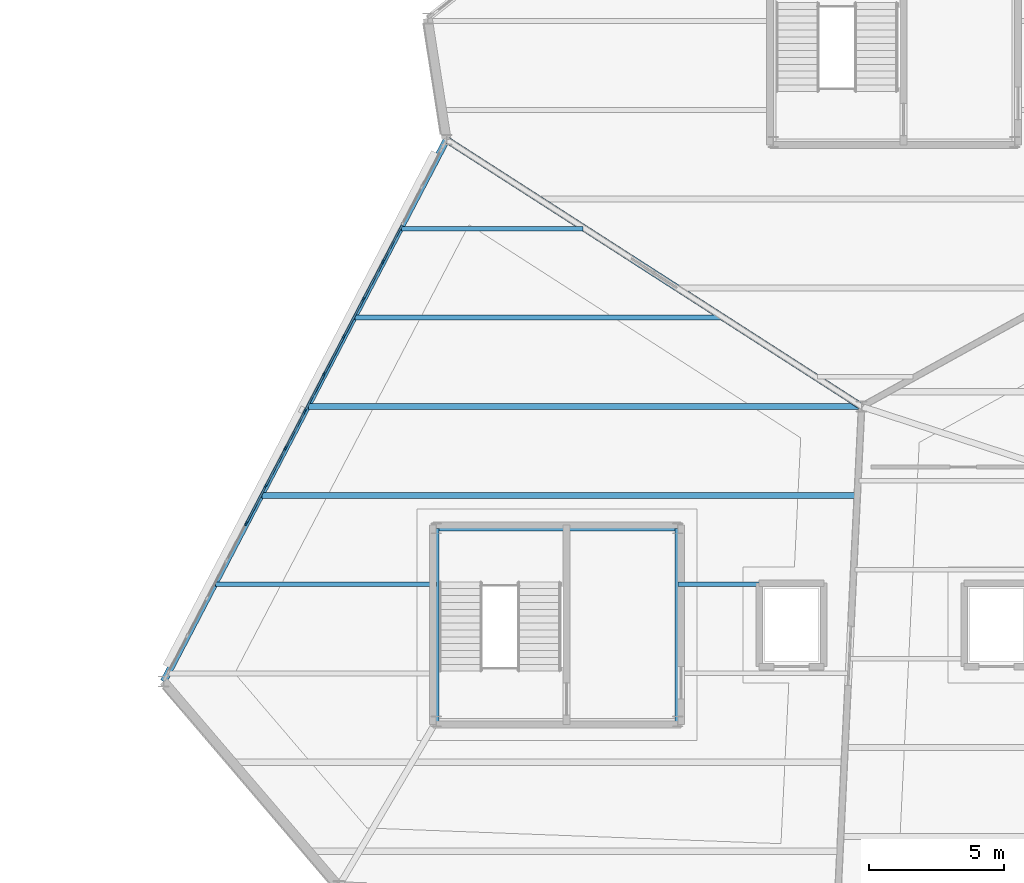
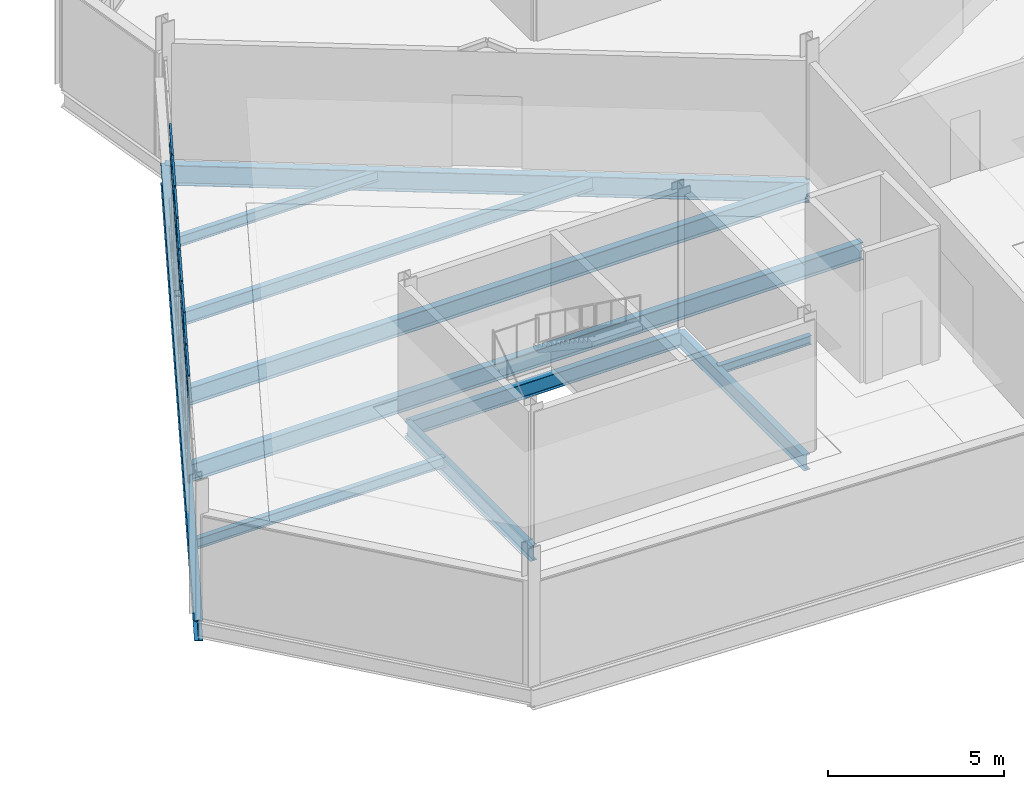
# One storey, part 61 of 134: 40 members, 11 beams, 1 element without a shape of its own.
"""IFC4 building model written with IfcOpenShell, lengths in metres."""

import ifcopenshell
import ifcopenshell.guid

model = None  # the IFC model being written
_history = None  # IfcOwnerHistory: only IFC2X3 demands one
_inside = {}  # id of a spatial element -> (the spatial element, [elements in it])
_under = {}  # id of a project, library or spatial element -> (it, [spatial elements below it])
_declared = {}  # id of a project -> (the project, [libraries it declares])
_typed = {}  # id of a type object -> (the type object, [elements of that type])
_made_of = {}  # id of a material, layer set ... -> (it, [elements and type objects made of it])


def new_model(schema):
    """Start an empty IFC model of exactly this schema.

    Asked for "IFC4X3", IfcOpenShell would pick the latest addendum, in which some entities
    have other attributes; the version numbers below select the first issue.
    IFC2X3 requires an IfcOwnerHistory on every rooted entity: one is made here for all.
    """
    global model, _history
    if schema == "IFC4X3":
        model = ifcopenshell.file(schema_version=(4, 3, 0, 0))
    else:
        model = ifcopenshell.file(schema=schema)
    _inside.clear()
    _under.clear()
    _declared.clear()
    _typed.clear()
    _made_of.clear()
    _history = None
    if model.schema == "IFC2X3":
        org = make("IfcOrganization", Name="unknown")
        user = make(
            "IfcPersonAndOrganization",
            ThePerson=make("IfcPerson", FamilyName="unknown"),
            TheOrganization=org,
        )
        app = make(
            "IfcApplication",
            ApplicationDeveloper=org,
            Version="unknown",
            ApplicationFullName="unknown",
            ApplicationIdentifier="unknown",
        )
        _history = make(
            "IfcOwnerHistory",
            OwningUser=user,
            OwningApplication=app,
            ChangeAction="ADDED",
            CreationDate=0,
        )
    return model


def make(cls, **values):
    """One entity of the class cls with the attributes given. An attribute that is None is left unset."""
    return model.create_entity(
        cls, **{name: value for name, value in values.items() if value is not None}
    )


def rooted(cls, **values):
    """An entity with a GlobalId (a new one), such as an element, a storey or a relation."""
    return make(cls, GlobalId=ifcopenshell.guid.new(), OwnerHistory=_history, **values)


def si_unit(unit_type, name, prefix=None):
    """IfcSIUnit, for example si_unit("LENGTHUNIT", "METRE", prefix="MILLI")."""
    return make("IfcSIUnit", UnitType=unit_type, Prefix=prefix, Name=name)


def assignment(units):
    """IfcUnitAssignment: the units of a project."""
    return None if units is None else make("IfcUnitAssignment", Units=units)


def point(xyz):
    """IfcCartesianPoint."""
    return None if xyz is None else make("IfcCartesianPoint", Coordinates=xyz)


def direction(xyz):
    """IfcDirection."""
    return None if xyz is None else make("IfcDirection", DirectionRatios=xyz)


def frame(location, z_axis=None, x_axis=None):
    """IfcAxis2Placement3D, a coordinate frame: its origin and axes. An axis left out is left unset."""
    return make(
        "IfcAxis2Placement3D",
        Location=point(location),
        Axis=direction(z_axis),
        RefDirection=direction(x_axis),
    )


def frame_2d(location, x_axis=None):
    """IfcAxis2Placement2D, a coordinate frame in the plane: its origin and x axis."""
    return make(
        "IfcAxis2Placement2D", Location=point(location), RefDirection=direction(x_axis)
    )


def origin():
    """The frame at (0, 0, 0) with its axes left unset."""
    return frame((0.0, 0.0, 0.0))


def origin_2d():
    """The frame at (0, 0) in the plane with its x axis left unset."""
    return frame_2d((0.0, 0.0))


def place(relative_to, where):
    """IfcLocalPlacement: puts the frame where relative to a parent placement (None: the world)."""
    return make(
        "IfcLocalPlacement", PlacementRelTo=relative_to, RelativePlacement=where
    )


def context(
    kind, dimensions, precision=None, world=None, true_north=None, identifier=None
):
    """IfcGeometricRepresentationContext, for example the 3D "Model" context."""
    return make(
        "IfcGeometricRepresentationContext",
        ContextIdentifier=identifier,
        ContextType=kind,
        CoordinateSpaceDimension=dimensions,
        Precision=precision,
        WorldCoordinateSystem=world,
        TrueNorth=true_north,
    )


def subcontext(parent, identifier, kind, view, scale=None):
    """IfcGeometricRepresentationSubContext, for example "Body" below "Model"."""
    return make(
        "IfcGeometricRepresentationSubContext",
        ContextIdentifier=identifier,
        ContextType=kind,
        ParentContext=parent,
        TargetScale=scale,
        TargetView=view,
    )


def project(units=None, contexts=None):
    """IfcProject with its units and contexts."""
    return rooted(
        "IfcProject",
        Name="project",
        RepresentationContexts=contexts,
        UnitsInContext=assignment(units),
    )


def spatial(cls, under=None, at=None, **own):
    """A site, building, storey or space (cls), placed at a placement, below another one or the project."""
    s = rooted(cls, ObjectPlacement=at, **own)
    if under is not None:
        _under.setdefault(under.id(), (under, []))[1].append(s)
    return s


def profile(cls, at=None, kind="AREA", **sizes):
    """A parametric profile (cls). Its sizes go by their IFC names, for example OverallWidth=200.0."""
    return make(cls, ProfileType=kind, Position=at, **sizes)


def rectangle(**sizes):
    """IfcRectangleProfileDef."""
    return profile("IfcRectangleProfileDef", **sizes)


def i_section(**sizes):
    """IfcIShapeProfileDef."""
    return profile("IfcIShapeProfileDef", **sizes)


def extrude(swept, where, along, depth):
    """IfcExtrudedAreaSolid: the profile swept, set in the frame where, extruded along a direction by depth."""
    return make(
        "IfcExtrudedAreaSolid",
        SweptArea=swept,
        Position=where,
        ExtrudedDirection=direction(along),
        Depth=depth,
    )


def shape(context_of_items, identifier, shape_type, items):
    """IfcShapeRepresentation: the items that make up one representation, for example the "Body"."""
    return make(
        "IfcShapeRepresentation",
        ContextOfItems=context_of_items,
        RepresentationIdentifier=identifier,
        RepresentationType=shape_type,
        Items=items,
    )


def material(Name=None, Category=None):
    """IfcMaterial."""
    return make("IfcMaterial", Name=Name, Category=Category)


def material_profile(
    of_material, cross_section, Name=None, Category=None, Priority=None
):
    """IfcMaterialProfile: a cross section and its material."""
    return make(
        "IfcMaterialProfile",
        Name=Name,
        Material=of_material,
        Profile=cross_section,
        Priority=Priority,
        Category=Category,
    )


def profile_set(profiles, Name=None, composite=None):
    """IfcMaterialProfileSet."""
    return make(
        "IfcMaterialProfileSet",
        Name=Name,
        MaterialProfiles=profiles,
        CompositeProfile=composite,
    )


def made_of(thing, what):
    """Note that an element or type object is made of a material, layer set ...; save() writes the relation."""
    if what is not None:
        _made_of.setdefault(what.id(), (what, []))[1].append(thing)
    return thing


def type_object(cls, material=None, **own):
    """A type object (cls), such as IfcWallType, which elements share."""
    return made_of(rooted(cls, **own), material)


def element(
    cls,
    number,
    at=None,
    inside=None,
    cuts=None,
    type_object=None,
    material=None,
    context=None,
    identifier="Body",
    shape_type=None,
    held_by="IfcProductDefinitionShape",
    body=None,
    shapes=None,
    **own,
):
    """One element of the class cls, such as IfcWall. Its Tag is "e" and its number.

    at: its placement. inside: the storey or other place that contains it. cuts: it is an
    opening in that element (IfcRelVoidsElement). A single representation is given by context,
    identifier, shape_type and body (its items); several are given by shapes. held_by: the class
    of the entity that holds the representations. save() writes the other relations.
    """
    e = rooted(cls, Tag="e%d" % number, ObjectPlacement=at, **own)
    if body is not None:
        shapes = [shape(context, identifier, shape_type, body)]
    if shapes is not None:
        e.Representation = make(held_by, Representations=shapes)
    if inside is not None:
        _inside.setdefault(inside.id(), (inside, []))[1].append(e)
    if cuts is not None:
        rooted(
            "IfcRelVoidsElement", RelatingBuildingElement=cuts, RelatedOpeningElement=e
        )
    if type_object is not None:
        _typed.setdefault(type_object.id(), (type_object, []))[1].append(e)
    return made_of(e, material)


def aggregate(whole, parts):
    """IfcRelAggregates: a whole, such as a stair, and the parts it consists of."""
    return rooted("IfcRelAggregates", RelatingObject=whole, RelatedObjects=parts)


def save(model, path):
    """Write the relations noted so far, then the file.

    IfcRelAggregates (storeys below a building ...), IfcRelContainedInSpatialStructure (elements
    in a storey), IfcRelDefinesByType, IfcRelAssociatesMaterial and IfcRelDeclares: one each for
    every whole, place, type object, material and project.
    """
    for whole, parts in _under.values():
        aggregate(whole, parts)
    for where, things in _inside.values():
        rooted(
            "IfcRelContainedInSpatialStructure",
            RelatedElements=things,
            RelatingStructure=where,
        )
    for kind, things in _typed.values():
        rooted("IfcRelDefinesByType", RelatedObjects=things, RelatingType=kind)
    for what, things in _made_of.values():
        rooted("IfcRelAssociatesMaterial", RelatedObjects=things, RelatingMaterial=what)
    for by, libraries in _declared.values():
        rooted("IfcRelDeclares", RelatingContext=by, RelatedDefinitions=libraries)
    model.write(path)


model = new_model("IFC4")

# Units and contexts
model_context = context("Model", 3, precision=1e-05, world=origin(), true_north=direction((0.0, 1.0)))
body_context = subcontext(model_context, "Body", "Model", "MODEL_VIEW")
ifc_project = project(units=[si_unit("LENGTHUNIT", "METRE"), si_unit("AREAUNIT", "SQUARE_METRE"), si_unit("VOLUMEUNIT", "CUBIC_METRE"), si_unit("PLANEANGLEUNIT", "RADIAN"), si_unit("MASSUNIT", "GRAM", prefix="KILO")], contexts=[model_context])

# Site, building, storey
site_placement = place(None, origin())
site = spatial("IfcSite", under=ifc_project, at=site_placement, CompositionType="ELEMENT")
building_placement = place(site_placement, origin())
building = spatial("IfcBuilding", under=site, at=building_placement, Name="Tameran Prism Museum", CompositionType="ELEMENT")
storey_placement = place(building_placement, frame((0.0, 0.0, 5.39990234375)))
storey = spatial("IfcBuildingStorey", under=building, at=storey_placement, Name="L01", CompositionType="ELEMENT", Elevation=5.39990234375)

# Beams
ifc_material_1 = material(Name="Steel Grade 300PLUS (300 MPa)", Category="steel")
ifc_material_profile_1 = material_profile(ifc_material_1, i_section(OverallWidth=0.1650390625, OverallDepth=0.303955078125, WebThickness=0.006103515625, FlangeThickness=0.01025390625, FilletRadius=0.011474609375, at=origin_2d()))
ifc_profile_set_1 = profile_set([ifc_material_profile_1])
beam_type_1 = type_object("IfcBeamType", Name="BM-J310B", PredefinedType="JOIST", material=ifc_profile_set_1)
beam_1_placement = place(storey_placement, frame((111.97998046875, 82.5, -0.351806640625), z_axis=(1.0, 0.0, 0.0), x_axis=(0.0, 1.0, 0.0)))
element("IfcBeam", 1, at=beam_1_placement, inside=storey, type_object=beam_type_1, Name="Floor Beam BM-0503", PredefinedType="JOIST", context=body_context, shape_type="SweptSolid", body=[
    extrude(i_section(OverallWidth=0.1650390625, OverallDepth=0.303955078125, WebThickness=0.006103515625, FlangeThickness=0.01025390625, FilletRadius=0.011474609375, at=origin_2d()), origin(), (0.0, 0.0, 1.0), 3.0400390625),
])
ifc_material_2 = material(Name="Steel Grade 300PLUS (300 MPa)", Category="steel")
ifc_material_profile_2 = material_profile(ifc_material_2, i_section(OverallWidth=0.1708984375, OverallDepth=0.35595703125, WebThickness=0.00732421875, FlangeThickness=0.011474609375, FilletRadius=0.011474609375, at=origin_2d()))
ifc_profile_set_2 = profile_set([ifc_material_profile_2])
beam_type_2 = type_object("IfcBeamType", Name="BM-J360B", PredefinedType="JOIST", material=ifc_profile_set_2)
beam_2_placement = place(storey_placement, frame((94.825927734375, 82.5, -0.3779296875), z_axis=(1.0, 0.0, 0.0), x_axis=(0.0, 1.0, 0.0)))
element("IfcBeam", 2, at=beam_2_placement, inside=storey, type_object=beam_type_2, Name="Floor Beam BM-0502", PredefinedType="JOIST", context=body_context, shape_type="SweptSolid", body=[
    extrude(i_section(OverallWidth=0.1708984375, OverallDepth=0.35595703125, WebThickness=0.00732421875, FlangeThickness=0.011474609375, FilletRadius=0.011474609375, at=origin_2d()), origin(), (0.0, 0.0, 1.0), 8.194091796875),
])
beam_3_placement = place(storey_placement, frame((101.720947265625, 95.699951171875, -0.3779296875), z_axis=(1.0, 0.0, 0.0), x_axis=(0.0, 1.0, 0.0)))
element("IfcBeam", 3, at=beam_3_placement, inside=storey, type_object=beam_type_2, Name="Floor Beam BM-0507", PredefinedType="JOIST", context=body_context, shape_type="SweptSolid", body=[
    extrude(i_section(OverallWidth=0.1708984375, OverallDepth=0.35595703125, WebThickness=0.00732421875, FlangeThickness=0.011474609375, FilletRadius=0.011474609375, at=origin_2d()), origin(), (0.0, 0.0, 1.0), 6.738037109375),
])
ifc_material_3 = material(Name="Steel Grade 300PLUS (300 MPa)", Category="steel")
ifc_material_profile_3 = material_profile(ifc_material_3, i_section(OverallWidth=0.18994140625, OverallDepth=0.4541015625, WebThickness=0.008544921875, FlangeThickness=0.0126953125, FilletRadius=0.011474609375, at=origin_2d()))
ifc_profile_set_3 = profile_set([ifc_material_profile_3])
beam_type_3 = type_object("IfcBeamType", Name="BM-J460B", PredefinedType="JOIST", material=ifc_profile_set_3)
beam_4_placement = place(storey_placement, frame((99.9970703125, 92.39990234375, -0.427001953125), z_axis=(1.0, 0.0, 0.0), x_axis=(0.0, 1.0, 0.0)))
element("IfcBeam", 4, at=beam_4_placement, inside=storey, type_object=beam_type_3, Name="Floor Beam BM-0506", PredefinedType="JOIST", context=body_context, shape_type="SweptSolid", body=[
    extrude(i_section(OverallWidth=0.18994140625, OverallDepth=0.4541015625, WebThickness=0.008544921875, FlangeThickness=0.0126953125, FilletRadius=0.011474609375, at=origin_2d()), origin(), (0.0, 0.0, 1.0), 13.595947265625),
])
ifc_material_4 = material(Name="Steel Grade 300PLUS (300 MPa)", Category="steel")
ifc_material_profile_4 = material_profile(ifc_material_4, i_section(OverallWidth=0.208984375, OverallDepth=0.528076171875, WebThickness=0.009521484375, FlangeThickness=0.01318359375, FilletRadius=0.013916015625, at=origin_2d()))
ifc_profile_set_4 = profile_set([ifc_material_profile_4])
beam_type_4 = type_object("IfcBeamType", Name="BM-SP530B", PredefinedType="SPANDREL", material=ifc_profile_set_4)
beam_5_placement = place(storey_placement, frame((111.97998046875, 77.419921875, -0.50390625), z_axis=(0.0, 1.0, 0.0), x_axis=(-1.0, 0.0, 0.0)))
element("IfcBeam", 5, at=beam_5_placement, inside=storey, type_object=beam_type_4, Name="Core Ring Beam CTB-0439", PredefinedType="SPANDREL", context=body_context, shape_type="SweptSolid", body=[
    extrude(i_section(OverallWidth=0.208984375, OverallDepth=0.528076171875, WebThickness=0.009521484375, FlangeThickness=0.01318359375, FilletRadius=0.013916015625, at=origin_2d()), origin(), (0.0, 0.0, 1.0), 7.16015625),
])
beam_6_placement = place(storey_placement, frame((111.97998046875, 84.580078125, -0.50390625), z_axis=(-1.0, 0.0, 0.0), x_axis=(0.0, -1.0, 0.0)))
element("IfcBeam", 6, at=beam_6_placement, inside=storey, type_object=beam_type_4, Name="Core Ring Beam CTB-0440", PredefinedType="SPANDREL", context=body_context, shape_type="SweptSolid", body=[
    extrude(i_section(OverallWidth=0.208984375, OverallDepth=0.528076171875, WebThickness=0.009521484375, FlangeThickness=0.01318359375, FilletRadius=0.013916015625, at=origin_2d()), origin(), (0.0, 0.0, 1.0), 8.9599609375),
])
beam_7_placement = place(storey_placement, frame((103.02001953125, 84.580078125, -0.50390625), z_axis=(0.0, -1.0, 0.0), x_axis=(1.0, 0.0, 0.0)))
element("IfcBeam", 7, at=beam_7_placement, inside=storey, type_object=beam_type_4, Name="Core Ring Beam CTB-0441", PredefinedType="SPANDREL", context=body_context, shape_type="SweptSolid", body=[
    extrude(i_section(OverallWidth=0.208984375, OverallDepth=0.528076171875, WebThickness=0.009521484375, FlangeThickness=0.01318359375, FilletRadius=0.013916015625, at=origin_2d()), origin(), (0.0, 0.0, 1.0), 7.16015625),
])
ifc_material_5 = material(Name="Steel Grade 350 (350 MPa)", Category="steel")
ifc_material_profile_5 = material_profile(ifc_material_5, i_section(OverallWidth=0.25, OverallDepth=0.699951171875, WebThickness=0.010009765625, FlangeThickness=0.02001953125, at=origin_2d()))
ifc_profile_set_5 = profile_set([ifc_material_profile_5])
beam_type_5 = type_object("IfcBeamType", Name="BM-SP700", PredefinedType="SPANDREL", material=ifc_profile_set_5)
beam_8_placement = place(storey_placement, frame((118.800048828125, 89.10009765625, -0.5498046875), z_axis=(-0.841183241423, 0.540750177392, 0.0), x_axis=(-0.540750177392, -0.841183241423, 0.0)))
element("IfcBeam", 8, at=beam_8_placement, inside=storey, type_object=beam_type_5, Name="Perimeter Spandrel SP-0327", PredefinedType="SPANDREL", context=body_context, shape_type="SweptSolid", body=[
    extrude(i_section(OverallWidth=0.25, OverallDepth=0.699951171875, WebThickness=0.010009765625, FlangeThickness=0.02001953125, at=origin_2d()), origin(), (0.0, 0.0, 1.0), 18.3076171875),
])
beam_9_placement = place(storey_placement, frame((103.39990234375, 99.0, -0.5498046875), z_axis=(-0.463016287734, -0.886349771418, 0.0), x_axis=(0.886349771418, -0.463016287734, 0.0)))
element("IfcBeam", 9, at=beam_9_placement, inside=storey, type_object=beam_type_5, Name="Perimeter Spandrel SP-0328", PredefinedType="SPANDREL", context=body_context, shape_type="SweptSolid", body=[
    extrude(i_section(OverallWidth=0.25, OverallDepth=0.699951171875, WebThickness=0.010009765625, FlangeThickness=0.02001953125, at=origin_2d()), origin(), (0.0, 0.0, 1.0), 22.677490234375),
])
ifc_material_6 = material(Name="Steel Grade 300PLUS (300 MPa)", Category="steel")
ifc_material_profile_6 = material_profile(ifc_material_6, i_section(OverallWidth=0.22802734375, OverallDepth=0.60693359375, WebThickness=0.01123046875, FlangeThickness=0.017333984375, FilletRadius=0.013916015625, at=origin_2d()))
ifc_profile_set_6 = profile_set([ifc_material_profile_6])
beam_type_6 = type_object("IfcBeamType", Name="BM-UB610B", PredefinedType="BEAM", material=ifc_profile_set_6)
beam_10_placement = place(storey_placement, frame((96.550048828125, 85.800048828125, -0.50341796875), z_axis=(1.0, 0.0, 0.0), x_axis=(0.0, 1.0, 0.0)))
element("IfcBeam", 10, at=beam_10_placement, inside=storey, type_object=beam_type_6, Name="Floor Beam BM-0504", PredefinedType="BEAM", context=body_context, shape_type="SweptSolid", body=[
    extrude(i_section(OverallWidth=0.22802734375, OverallDepth=0.60693359375, WebThickness=0.01123046875, FlangeThickness=0.017333984375, FilletRadius=0.013916015625, at=origin_2d()), origin(), (0.0, 0.0, 1.0), 22.049072265625),
])
beam_11_placement = place(storey_placement, frame((98.27294921875, 89.10009765625, -0.50341796875), z_axis=(1.0, 0.0, 0.0), x_axis=(0.0, 1.0, 0.0)))
element("IfcBeam", 11, at=beam_11_placement, inside=storey, type_object=beam_type_6, Name="Floor Beam BM-0505", PredefinedType="BEAM", context=body_context, shape_type="SweptSolid", body=[
    extrude(i_section(OverallWidth=0.22802734375, OverallDepth=0.60693359375, WebThickness=0.01123046875, FlangeThickness=0.017333984375, FilletRadius=0.013916015625, at=origin_2d()), origin(), (0.0, 0.0, 1.0), 20.453125),
])

# Curtain wall, members
ifc_material_7 = material(Name="Anodised Aluminium 6063-T6 and Cyclone Solar Glass", Category="aluminium")
curtain_wall_type = type_object("IfcCurtainWallType", Name="CW-FAC-2192x362", PredefinedType="USERDEFINED", material=ifc_material_7)
curtain_wall_placement = place(storey_placement, origin())
curtain_wall = element("IfcCurtainWall", 12, at=curtain_wall_placement, inside=storey, type_object=curtain_wall_type, Name="Unitised Curtain Wall CW-055", ObjectType="UNITISED CURTAIN WALL", PredefinedType="USERDEFINED")
ifc_material_8 = material(Name="Anodised Aluminium Alloy 6063-T6", Category="aluminium")
ifc_material_profile_7 = material_profile(ifc_material_8, rectangle(XDim=0.06494140625, YDim=0.159912109375, at=origin_2d()))
ifc_profile_set_7 = profile_set([ifc_material_profile_7])
member_type_1 = type_object("IfcMemberType", Name="CW-MUL-A", PredefinedType="MULLION", material=ifc_profile_set_7)
member_1_placement = place(storey_placement, frame((95.96142578125, 84.760498046875, 0.0), z_axis=(0.0, 0.0, 1.0), x_axis=(-0.886356952612, 0.463002540551, 0.0)))
member_1 = element("IfcMember", 13, at=member_1_placement, type_object=member_type_1, Name="CW-055 mullion 5", PredefinedType="MULLION", context=body_context, shape_type="SweptSolid", body=[
    extrude(rectangle(XDim=0.06494140625, YDim=0.159912109375, at=origin_2d()), origin(), (0.0, 0.0, 1.0), 3.6201171875),
])
member_2_placement = place(storey_placement, frame((96.686279296875, 86.148193359375, 0.0), z_axis=(0.0, 0.0, 1.0), x_axis=(-0.886356952612, 0.463002540551, 0.0)))
member_2 = element("IfcMember", 14, at=member_2_placement, type_object=member_type_1, Name="CW-055 mullion 6", PredefinedType="MULLION", context=body_context, shape_type="SweptSolid", body=[
    extrude(rectangle(XDim=0.06494140625, YDim=0.159912109375, at=origin_2d()), origin(), (0.0, 0.0, 1.0), 3.6201171875),
])
member_3_placement = place(storey_placement, frame((97.4111328125, 87.535888671875, 0.0), z_axis=(0.0, 0.0, 1.0), x_axis=(-0.886356952612, 0.463002540551, 0.0)))
member_3 = element("IfcMember", 15, at=member_3_placement, type_object=member_type_1, Name="CW-055 mullion 7", PredefinedType="MULLION", context=body_context, shape_type="SweptSolid", body=[
    extrude(rectangle(XDim=0.06494140625, YDim=0.159912109375, at=origin_2d()), origin(), (0.0, 0.0, 1.0), 3.6201171875),
])
member_4_placement = place(storey_placement, frame((98.135986328125, 88.923583984375, 0.0), z_axis=(0.0, 0.0, 1.0), x_axis=(-0.886356952612, 0.463002540551, 0.0)))
member_4 = element("IfcMember", 16, at=member_4_placement, type_object=member_type_1, Name="CW-055 mullion 8", PredefinedType="MULLION", context=body_context, shape_type="SweptSolid", body=[
    extrude(rectangle(XDim=0.06494140625, YDim=0.159912109375, at=origin_2d()), origin(), (0.0, 0.0, 1.0), 3.6201171875),
])
member_5_placement = place(storey_placement, frame((98.86083984375, 90.31103515625, 0.0), z_axis=(0.0, 0.0, 1.0), x_axis=(-0.886356952612, 0.463002540551, 0.0)))
member_5 = element("IfcMember", 17, at=member_5_placement, type_object=member_type_1, Name="CW-055 mullion 9", PredefinedType="MULLION", context=body_context, shape_type="SweptSolid", body=[
    extrude(rectangle(XDim=0.06494140625, YDim=0.159912109375, at=origin_2d()), origin(), (0.0, 0.0, 1.0), 3.6201171875),
])
member_6_placement = place(storey_placement, frame((99.585693359375, 91.69873046875, 0.0), z_axis=(0.0, 0.0, 1.0), x_axis=(-0.886356952612, 0.463002540551, 0.0)))
member_6 = element("IfcMember", 18, at=member_6_placement, type_object=member_type_1, Name="CW-055 mullion 10", PredefinedType="MULLION", context=body_context, shape_type="SweptSolid", body=[
    extrude(rectangle(XDim=0.06494140625, YDim=0.159912109375, at=origin_2d()), origin(), (0.0, 0.0, 1.0), 3.6201171875),
])
member_7_placement = place(storey_placement, frame((100.310546875, 93.08642578125, 0.0), z_axis=(0.0, 0.0, 1.0), x_axis=(-0.886356952612, 0.463002540551, 0.0)))
member_7 = element("IfcMember", 19, at=member_7_placement, type_object=member_type_1, Name="CW-055 mullion 11", PredefinedType="MULLION", context=body_context, shape_type="SweptSolid", body=[
    extrude(rectangle(XDim=0.06494140625, YDim=0.159912109375, at=origin_2d()), origin(), (0.0, 0.0, 1.0), 3.6201171875),
])
member_8_placement = place(storey_placement, frame((101.035400390625, 94.47412109375, 0.0), z_axis=(0.0, 0.0, 1.0), x_axis=(-0.886356952612, 0.463002540551, 0.0)))
member_8 = element("IfcMember", 20, at=member_8_placement, type_object=member_type_1, Name="CW-055 mullion 12", PredefinedType="MULLION", context=body_context, shape_type="SweptSolid", body=[
    extrude(rectangle(XDim=0.06494140625, YDim=0.159912109375, at=origin_2d()), origin(), (0.0, 0.0, 1.0), 3.6201171875),
])
ifc_material_9 = material(Name="Anodised Aluminium Alloy 6063-T6", Category="aluminium")
ifc_material_profile_8 = material_profile(ifc_material_9, rectangle(XDim=0.06494140625, YDim=0.139892578125, at=origin_2d()))
ifc_profile_set_8 = profile_set([ifc_material_profile_8])
member_type_2 = type_object("IfcMemberType", Name="CW-TRN-A", PredefinedType="USERDEFINED", material=ifc_profile_set_8)
member_9_placement = place(storey_placement, frame((95.9765625, 84.789306640625, 0.03271484375), z_axis=(0.462894043203, 0.886413619462, 0.0), x_axis=(-0.886413619462, 0.462894043203, 0.0)))
member_9 = element("IfcMember", 21, at=member_9_placement, type_object=member_type_2, Name="CW-055 transom 5.1", ObjectType="TRANSOM", PredefinedType="USERDEFINED", context=body_context, shape_type="SweptSolid", body=[
    extrude(rectangle(XDim=0.06494140625, YDim=0.139892578125, at=origin_2d()), origin(), (0.0, 0.0, 1.0), 1.50048828125),
])
member_10_placement = place(storey_placement, frame((95.9765625, 84.789306640625, 1.0), z_axis=(0.462894043203, 0.886413619462, 0.0), x_axis=(-0.886413619462, 0.462894043203, 0.0)))
member_10 = element("IfcMember", 22, at=member_10_placement, type_object=member_type_2, Name="CW-055 transom 5.2", ObjectType="TRANSOM", PredefinedType="USERDEFINED", context=body_context, shape_type="SweptSolid", body=[
    extrude(rectangle(XDim=0.06494140625, YDim=0.139892578125, at=origin_2d()), origin(), (0.0, 0.0, 1.0), 1.50048828125),
])
member_11_placement = place(storey_placement, frame((95.9765625, 84.789306640625, 2.940185546875), z_axis=(0.462894043203, 0.886413619462, 0.0), x_axis=(-0.886413619462, 0.462894043203, 0.0)))
member_11 = element("IfcMember", 23, at=member_11_placement, type_object=member_type_2, Name="CW-055 transom 5.3", ObjectType="TRANSOM", PredefinedType="USERDEFINED", context=body_context, shape_type="SweptSolid", body=[
    extrude(rectangle(XDim=0.06494140625, YDim=0.139892578125, at=origin_2d()), origin(), (0.0, 0.0, 1.0), 1.50048828125),
])
member_12_placement = place(storey_placement, frame((95.9765625, 84.789306640625, 3.587646484375), z_axis=(0.462894043203, 0.886413619462, 0.0), x_axis=(-0.886413619462, 0.462894043203, 0.0)))
member_12 = element("IfcMember", 24, at=member_12_placement, type_object=member_type_2, Name="CW-055 transom 5.4", ObjectType="TRANSOM", PredefinedType="USERDEFINED", context=body_context, shape_type="SweptSolid", body=[
    extrude(rectangle(XDim=0.06494140625, YDim=0.139892578125, at=origin_2d()), origin(), (0.0, 0.0, 1.0), 1.50048828125),
])
member_13_placement = place(storey_placement, frame((96.701416015625, 86.177001953125, 0.03271484375), z_axis=(0.462894043203, 0.886413619462, 0.0), x_axis=(-0.886413619462, 0.462894043203, 0.0)))
member_13 = element("IfcMember", 25, at=member_13_placement, type_object=member_type_2, Name="CW-055 transom 6.1", ObjectType="TRANSOM", PredefinedType="USERDEFINED", context=body_context, shape_type="SweptSolid", body=[
    extrude(rectangle(XDim=0.06494140625, YDim=0.139892578125, at=origin_2d()), origin(), (0.0, 0.0, 1.0), 1.50048828125),
])
member_14_placement = place(storey_placement, frame((96.701416015625, 86.177001953125, 1.0), z_axis=(0.462894043203, 0.886413619462, 0.0), x_axis=(-0.886413619462, 0.462894043203, 0.0)))
member_14 = element("IfcMember", 26, at=member_14_placement, type_object=member_type_2, Name="CW-055 transom 6.2", ObjectType="TRANSOM", PredefinedType="USERDEFINED", context=body_context, shape_type="SweptSolid", body=[
    extrude(rectangle(XDim=0.06494140625, YDim=0.139892578125, at=origin_2d()), origin(), (0.0, 0.0, 1.0), 1.50048828125),
])
member_15_placement = place(storey_placement, frame((96.701416015625, 86.177001953125, 2.940185546875), z_axis=(0.462894043203, 0.886413619462, 0.0), x_axis=(-0.886413619462, 0.462894043203, 0.0)))
member_15 = element("IfcMember", 27, at=member_15_placement, type_object=member_type_2, Name="CW-055 transom 6.3", ObjectType="TRANSOM", PredefinedType="USERDEFINED", context=body_context, shape_type="SweptSolid", body=[
    extrude(rectangle(XDim=0.06494140625, YDim=0.139892578125, at=origin_2d()), origin(), (0.0, 0.0, 1.0), 1.50048828125),
])
member_16_placement = place(storey_placement, frame((96.701416015625, 86.177001953125, 3.587646484375), z_axis=(0.462894043203, 0.886413619462, 0.0), x_axis=(-0.886413619462, 0.462894043203, 0.0)))
member_16 = element("IfcMember", 28, at=member_16_placement, type_object=member_type_2, Name="CW-055 transom 6.4", ObjectType="TRANSOM", PredefinedType="USERDEFINED", context=body_context, shape_type="SweptSolid", body=[
    extrude(rectangle(XDim=0.06494140625, YDim=0.139892578125, at=origin_2d()), origin(), (0.0, 0.0, 1.0), 1.50048828125),
])
member_17_placement = place(storey_placement, frame((97.42626953125, 87.564697265625, 0.03271484375), z_axis=(0.462894043203, 0.886413619462, 0.0), x_axis=(-0.886413619462, 0.462894043203, 0.0)))
member_17 = element("IfcMember", 29, at=member_17_placement, type_object=member_type_2, Name="CW-055 transom 7.1", ObjectType="TRANSOM", PredefinedType="USERDEFINED", context=body_context, shape_type="SweptSolid", body=[
    extrude(rectangle(XDim=0.06494140625, YDim=0.139892578125, at=origin_2d()), origin(), (0.0, 0.0, 1.0), 1.50048828125),
])
member_18_placement = place(storey_placement, frame((97.42626953125, 87.564697265625, 1.0), z_axis=(0.462894043203, 0.886413619462, 0.0), x_axis=(-0.886413619462, 0.462894043203, 0.0)))
member_18 = element("IfcMember", 30, at=member_18_placement, type_object=member_type_2, Name="CW-055 transom 7.2", ObjectType="TRANSOM", PredefinedType="USERDEFINED", context=body_context, shape_type="SweptSolid", body=[
    extrude(rectangle(XDim=0.06494140625, YDim=0.139892578125, at=origin_2d()), origin(), (0.0, 0.0, 1.0), 1.50048828125),
])
member_19_placement = place(storey_placement, frame((97.42626953125, 87.564697265625, 2.940185546875), z_axis=(0.462894043203, 0.886413619462, 0.0), x_axis=(-0.886413619462, 0.462894043203, 0.0)))
member_19 = element("IfcMember", 31, at=member_19_placement, type_object=member_type_2, Name="CW-055 transom 7.3", ObjectType="TRANSOM", PredefinedType="USERDEFINED", context=body_context, shape_type="SweptSolid", body=[
    extrude(rectangle(XDim=0.06494140625, YDim=0.139892578125, at=origin_2d()), origin(), (0.0, 0.0, 1.0), 1.50048828125),
])
member_20_placement = place(storey_placement, frame((97.42626953125, 87.564697265625, 3.587646484375), z_axis=(0.462894043203, 0.886413619462, 0.0), x_axis=(-0.886413619462, 0.462894043203, 0.0)))
member_20 = element("IfcMember", 32, at=member_20_placement, type_object=member_type_2, Name="CW-055 transom 7.4", ObjectType="TRANSOM", PredefinedType="USERDEFINED", context=body_context, shape_type="SweptSolid", body=[
    extrude(rectangle(XDim=0.06494140625, YDim=0.139892578125, at=origin_2d()), origin(), (0.0, 0.0, 1.0), 1.50048828125),
])
member_21_placement = place(storey_placement, frame((98.151123046875, 88.952392578125, 0.03271484375), z_axis=(0.462960811674, 0.886378749099, 0.0), x_axis=(-0.886378749099, 0.462960811674, 0.0)))
member_21 = element("IfcMember", 33, at=member_21_placement, type_object=member_type_2, Name="CW-055 transom 8.1", ObjectType="TRANSOM", PredefinedType="USERDEFINED", context=body_context, shape_type="SweptSolid", body=[
    extrude(rectangle(XDim=0.06494140625, YDim=0.139892578125, at=origin_2d()), origin(), (0.0, 0.0, 1.0), 1.500244140625),
])
member_22_placement = place(storey_placement, frame((98.151123046875, 88.952392578125, 1.0), z_axis=(0.462960811674, 0.886378749099, 0.0), x_axis=(-0.886378749099, 0.462960811674, 0.0)))
member_22 = element("IfcMember", 34, at=member_22_placement, type_object=member_type_2, Name="CW-055 transom 8.2", ObjectType="TRANSOM", PredefinedType="USERDEFINED", context=body_context, shape_type="SweptSolid", body=[
    extrude(rectangle(XDim=0.06494140625, YDim=0.139892578125, at=origin_2d()), origin(), (0.0, 0.0, 1.0), 1.500244140625),
])
member_23_placement = place(storey_placement, frame((98.151123046875, 88.952392578125, 2.940185546875), z_axis=(0.462960811674, 0.886378749099, 0.0), x_axis=(-0.886378749099, 0.462960811674, 0.0)))
member_23 = element("IfcMember", 35, at=member_23_placement, type_object=member_type_2, Name="CW-055 transom 8.3", ObjectType="TRANSOM", PredefinedType="USERDEFINED", context=body_context, shape_type="SweptSolid", body=[
    extrude(rectangle(XDim=0.06494140625, YDim=0.139892578125, at=origin_2d()), origin(), (0.0, 0.0, 1.0), 1.500244140625),
])
member_24_placement = place(storey_placement, frame((98.151123046875, 88.952392578125, 3.587646484375), z_axis=(0.462960811674, 0.886378749099, 0.0), x_axis=(-0.886378749099, 0.462960811674, 0.0)))
member_24 = element("IfcMember", 36, at=member_24_placement, type_object=member_type_2, Name="CW-055 transom 8.4", ObjectType="TRANSOM", PredefinedType="USERDEFINED", context=body_context, shape_type="SweptSolid", body=[
    extrude(rectangle(XDim=0.06494140625, YDim=0.139892578125, at=origin_2d()), origin(), (0.0, 0.0, 1.0), 1.500244140625),
])
member_25_placement = place(storey_placement, frame((98.8759765625, 90.33984375, 0.03271484375), z_axis=(0.462894043203, 0.886413619462, 0.0), x_axis=(-0.886413619462, 0.462894043203, 0.0)))
member_25 = element("IfcMember", 37, at=member_25_placement, type_object=member_type_2, Name="CW-055 transom 9.1", ObjectType="TRANSOM", PredefinedType="USERDEFINED", context=body_context, shape_type="SweptSolid", body=[
    extrude(rectangle(XDim=0.06494140625, YDim=0.139892578125, at=origin_2d()), origin(), (0.0, 0.0, 1.0), 1.50048828125),
])
member_26_placement = place(storey_placement, frame((98.8759765625, 90.33984375, 1.0), z_axis=(0.462894043203, 0.886413619462, 0.0), x_axis=(-0.886413619462, 0.462894043203, 0.0)))
member_26 = element("IfcMember", 38, at=member_26_placement, type_object=member_type_2, Name="CW-055 transom 9.2", ObjectType="TRANSOM", PredefinedType="USERDEFINED", context=body_context, shape_type="SweptSolid", body=[
    extrude(rectangle(XDim=0.06494140625, YDim=0.139892578125, at=origin_2d()), origin(), (0.0, 0.0, 1.0), 1.50048828125),
])
member_27_placement = place(storey_placement, frame((98.8759765625, 90.33984375, 2.940185546875), z_axis=(0.462894043203, 0.886413619462, 0.0), x_axis=(-0.886413619462, 0.462894043203, 0.0)))
member_27 = element("IfcMember", 39, at=member_27_placement, type_object=member_type_2, Name="CW-055 transom 9.3", ObjectType="TRANSOM", PredefinedType="USERDEFINED", context=body_context, shape_type="SweptSolid", body=[
    extrude(rectangle(XDim=0.06494140625, YDim=0.139892578125, at=origin_2d()), origin(), (0.0, 0.0, 1.0), 1.50048828125),
])
member_28_placement = place(storey_placement, frame((98.8759765625, 90.33984375, 3.587646484375), z_axis=(0.462894043203, 0.886413619462, 0.0), x_axis=(-0.886413619462, 0.462894043203, 0.0)))
member_28 = element("IfcMember", 40, at=member_28_placement, type_object=member_type_2, Name="CW-055 transom 9.4", ObjectType="TRANSOM", PredefinedType="USERDEFINED", context=body_context, shape_type="SweptSolid", body=[
    extrude(rectangle(XDim=0.06494140625, YDim=0.139892578125, at=origin_2d()), origin(), (0.0, 0.0, 1.0), 1.50048828125),
])
member_29_placement = place(storey_placement, frame((99.600830078125, 91.7275390625, 0.03271484375), z_axis=(0.462894043203, 0.886413619462, 0.0), x_axis=(-0.886413619462, 0.462894043203, 0.0)))
member_29 = element("IfcMember", 41, at=member_29_placement, type_object=member_type_2, Name="CW-055 transom 10.1", ObjectType="TRANSOM", PredefinedType="USERDEFINED", context=body_context, shape_type="SweptSolid", body=[
    extrude(rectangle(XDim=0.06494140625, YDim=0.139892578125, at=origin_2d()), origin(), (0.0, 0.0, 1.0), 1.50048828125),
])
member_30_placement = place(storey_placement, frame((99.600830078125, 91.7275390625, 1.0), z_axis=(0.462894043203, 0.886413619462, 0.0), x_axis=(-0.886413619462, 0.462894043203, 0.0)))
member_30 = element("IfcMember", 42, at=member_30_placement, type_object=member_type_2, Name="CW-055 transom 10.2", ObjectType="TRANSOM", PredefinedType="USERDEFINED", context=body_context, shape_type="SweptSolid", body=[
    extrude(rectangle(XDim=0.06494140625, YDim=0.139892578125, at=origin_2d()), origin(), (0.0, 0.0, 1.0), 1.50048828125),
])
member_31_placement = place(storey_placement, frame((99.600830078125, 91.7275390625, 2.940185546875), z_axis=(0.462894043203, 0.886413619462, 0.0), x_axis=(-0.886413619462, 0.462894043203, 0.0)))
member_31 = element("IfcMember", 43, at=member_31_placement, type_object=member_type_2, Name="CW-055 transom 10.3", ObjectType="TRANSOM", PredefinedType="USERDEFINED", context=body_context, shape_type="SweptSolid", body=[
    extrude(rectangle(XDim=0.06494140625, YDim=0.139892578125, at=origin_2d()), origin(), (0.0, 0.0, 1.0), 1.50048828125),
])
member_32_placement = place(storey_placement, frame((99.600830078125, 91.7275390625, 3.587646484375), z_axis=(0.462894043203, 0.886413619462, 0.0), x_axis=(-0.886413619462, 0.462894043203, 0.0)))
member_32 = element("IfcMember", 44, at=member_32_placement, type_object=member_type_2, Name="CW-055 transom 10.4", ObjectType="TRANSOM", PredefinedType="USERDEFINED", context=body_context, shape_type="SweptSolid", body=[
    extrude(rectangle(XDim=0.06494140625, YDim=0.139892578125, at=origin_2d()), origin(), (0.0, 0.0, 1.0), 1.50048828125),
])
member_33_placement = place(storey_placement, frame((100.32568359375, 93.115234375, 0.03271484375), z_axis=(0.462894043203, 0.886413619462, 0.0), x_axis=(-0.886413619462, 0.462894043203, 0.0)))
member_33 = element("IfcMember", 45, at=member_33_placement, type_object=member_type_2, Name="CW-055 transom 11.1", ObjectType="TRANSOM", PredefinedType="USERDEFINED", context=body_context, shape_type="SweptSolid", body=[
    extrude(rectangle(XDim=0.06494140625, YDim=0.139892578125, at=origin_2d()), origin(), (0.0, 0.0, 1.0), 1.50048828125),
])
member_34_placement = place(storey_placement, frame((100.32568359375, 93.115234375, 1.0), z_axis=(0.462894043203, 0.886413619462, 0.0), x_axis=(-0.886413619462, 0.462894043203, 0.0)))
member_34 = element("IfcMember", 46, at=member_34_placement, type_object=member_type_2, Name="CW-055 transom 11.2", ObjectType="TRANSOM", PredefinedType="USERDEFINED", context=body_context, shape_type="SweptSolid", body=[
    extrude(rectangle(XDim=0.06494140625, YDim=0.139892578125, at=origin_2d()), origin(), (0.0, 0.0, 1.0), 1.50048828125),
])
member_35_placement = place(storey_placement, frame((100.32568359375, 93.115234375, 2.940185546875), z_axis=(0.462894043203, 0.886413619462, 0.0), x_axis=(-0.886413619462, 0.462894043203, 0.0)))
member_35 = element("IfcMember", 47, at=member_35_placement, type_object=member_type_2, Name="CW-055 transom 11.3", ObjectType="TRANSOM", PredefinedType="USERDEFINED", context=body_context, shape_type="SweptSolid", body=[
    extrude(rectangle(XDim=0.06494140625, YDim=0.139892578125, at=origin_2d()), origin(), (0.0, 0.0, 1.0), 1.50048828125),
])
member_36_placement = place(storey_placement, frame((100.32568359375, 93.115234375, 3.587646484375), z_axis=(0.462894043203, 0.886413619462, 0.0), x_axis=(-0.886413619462, 0.462894043203, 0.0)))
member_36 = element("IfcMember", 48, at=member_36_placement, type_object=member_type_2, Name="CW-055 transom 11.4", ObjectType="TRANSOM", PredefinedType="USERDEFINED", context=body_context, shape_type="SweptSolid", body=[
    extrude(rectangle(XDim=0.06494140625, YDim=0.139892578125, at=origin_2d()), origin(), (0.0, 0.0, 1.0), 1.50048828125),
])
member_37_placement = place(storey_placement, frame((101.050537109375, 94.5029296875, 0.03271484375), z_axis=(0.462894043203, 0.886413619462, 0.0), x_axis=(-0.886413619462, 0.462894043203, 0.0)))
member_37 = element("IfcMember", 49, at=member_37_placement, type_object=member_type_2, Name="CW-055 transom 12.1", ObjectType="TRANSOM", PredefinedType="USERDEFINED", context=body_context, shape_type="SweptSolid", body=[
    extrude(rectangle(XDim=0.06494140625, YDim=0.139892578125, at=origin_2d()), origin(), (0.0, 0.0, 1.0), 1.50048828125),
])
member_38_placement = place(storey_placement, frame((101.050537109375, 94.5029296875, 1.0), z_axis=(0.462894043203, 0.886413619462, 0.0), x_axis=(-0.886413619462, 0.462894043203, 0.0)))
member_38 = element("IfcMember", 50, at=member_38_placement, type_object=member_type_2, Name="CW-055 transom 12.2", ObjectType="TRANSOM", PredefinedType="USERDEFINED", context=body_context, shape_type="SweptSolid", body=[
    extrude(rectangle(XDim=0.06494140625, YDim=0.139892578125, at=origin_2d()), origin(), (0.0, 0.0, 1.0), 1.50048828125),
])
member_39_placement = place(storey_placement, frame((101.050537109375, 94.5029296875, 2.940185546875), z_axis=(0.462894043203, 0.886413619462, 0.0), x_axis=(-0.886413619462, 0.462894043203, 0.0)))
member_39 = element("IfcMember", 51, at=member_39_placement, type_object=member_type_2, Name="CW-055 transom 12.3", ObjectType="TRANSOM", PredefinedType="USERDEFINED", context=body_context, shape_type="SweptSolid", body=[
    extrude(rectangle(XDim=0.06494140625, YDim=0.139892578125, at=origin_2d()), origin(), (0.0, 0.0, 1.0), 1.50048828125),
])
member_40_placement = place(storey_placement, frame((101.050537109375, 94.5029296875, 3.587646484375), z_axis=(0.462894043203, 0.886413619462, 0.0), x_axis=(-0.886413619462, 0.462894043203, 0.0)))
member_40 = element("IfcMember", 52, at=member_40_placement, type_object=member_type_2, Name="CW-055 transom 12.4", ObjectType="TRANSOM", PredefinedType="USERDEFINED", context=body_context, shape_type="SweptSolid", body=[
    extrude(rectangle(XDim=0.06494140625, YDim=0.139892578125, at=origin_2d()), origin(), (0.0, 0.0, 1.0), 1.50048828125),
])
aggregate(curtain_wall, [member_1, member_2, member_3, member_4, member_5, member_6, member_7, member_8, member_9, member_10, member_11, member_12, member_13, member_14, member_15, member_16, member_17, member_18, member_19, member_20, member_21, member_22, member_23, member_24, member_25, member_26, member_27, member_28, member_29, member_30, member_31, member_32, member_33, member_34, member_35, member_36, member_37, member_38, member_39, member_40])

save(model, "model.ifc")
